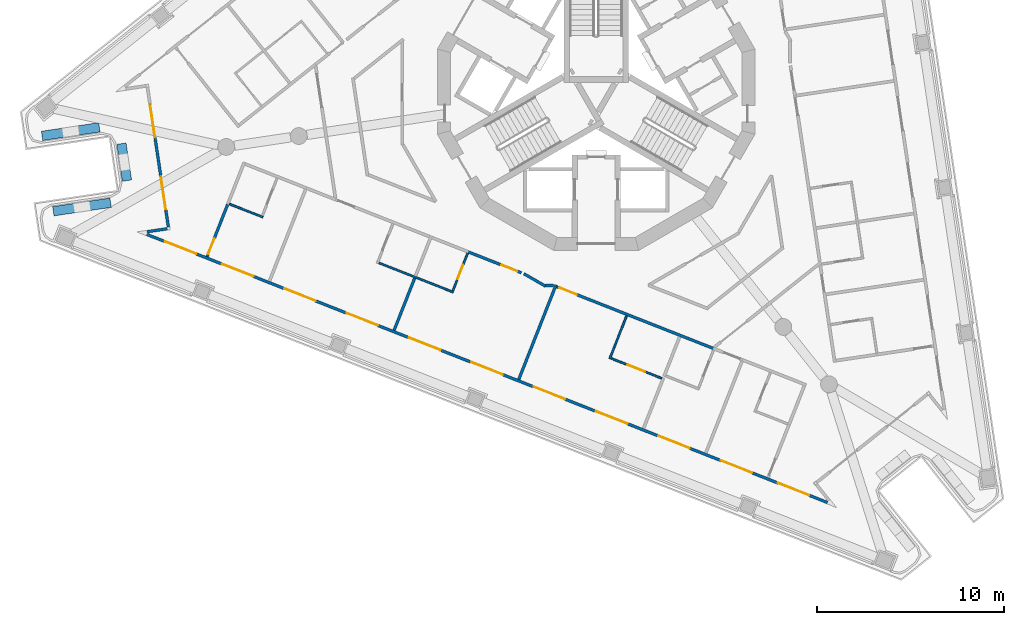
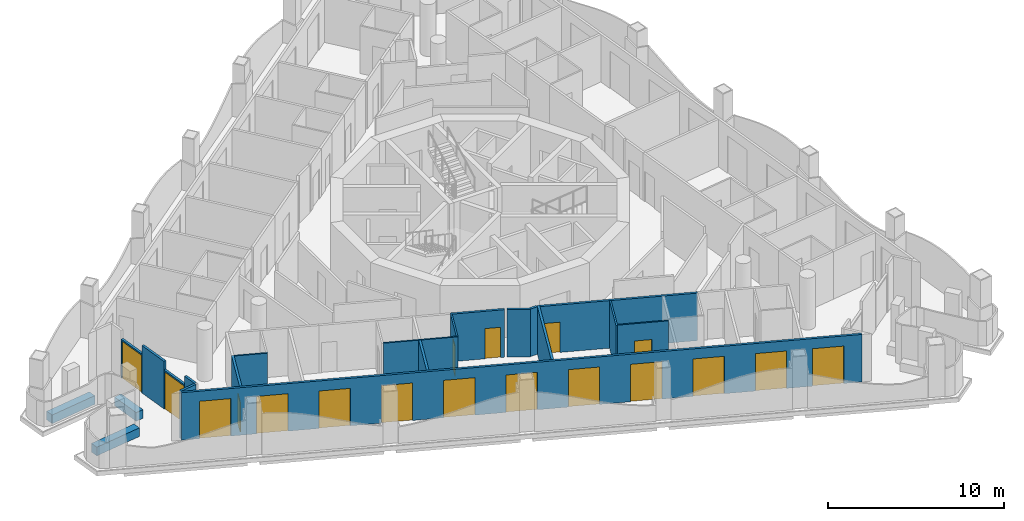
# One storey, part 2 of 16: 21 walls, 18 doors, 18 openings.
"""IFC4 building model written with IfcOpenShell, lengths in metres."""

from ifc_helpers import new_model, si_unit, direction, frame, frame_2d, origin, place, context, subcontext, project, spatial, polyline, rectangle, outline, extrude, material, layer, layer_set, type_object, element, fill, save


model = new_model("IFC4")

# Units and contexts
model_context = context("Model", 3, precision=1e-05, world=origin(), true_north=direction((0.0, 1.0)))
body_context = subcontext(model_context, "Body", "Model", "MODEL_VIEW")
ifc_project = project(units=[si_unit("LENGTHUNIT", "METRE"), si_unit("AREAUNIT", "SQUARE_METRE"), si_unit("VOLUMEUNIT", "CUBIC_METRE"), si_unit("PLANEANGLEUNIT", "RADIAN"), si_unit("MASSUNIT", "GRAM", prefix="KILO")], contexts=[model_context])

# Site, building, storey
site_placement = place(None, origin())
site = spatial("IfcSite", under=ifc_project, at=site_placement, CompositionType="ELEMENT")
building_placement = place(site_placement, origin())
building = spatial("IfcBuilding", under=site, at=building_placement, Name="Trine Commons Tower", CompositionType="ELEMENT")
storey_placement = place(building_placement, frame((0.0, 0.0, 205.199951171875)))
storey = spatial("IfcBuildingStorey", under=building, at=storey_placement, Name="L53", CompositionType="ELEMENT", Elevation=205.199951171875)

# Wall, openings, doors
ifc_material_1 = material(Name="Aluminium-framed insulated wall panel", Category="aluminium")
ifc_layer_1 = layer(ifc_material_1, 0.14990234375)
ifc_layer_set_1 = layer_set([ifc_layer_1], Name="Aluminium-framed insulated wall panel")
wall_type_1 = type_object("IfcWallType", Name="Glazed frame wall 150, EI 60", PredefinedType="SOLIDWALL", material=ifc_layer_set_1)
wall_1_placement = place(storey_placement, frame((92.513916015625, 40.4541015625, 0.0), z_axis=(0.0, 0.0, 1.0), x_axis=(-0.930417922313, 0.3665003272, 0.0)))
wall_1 = element("IfcWall", 1, at=wall_1_placement, inside=storey, type_object=wall_type_1, Name="Glazed frame wall F3", PredefinedType="SOLIDWALL", context=body_context, shape_type="SweptSolid", body=[
    extrude(outline(polyline([(0.1494140625, 0.074951171875), (0.1494140625, -0.074951171875), (39.296875, -0.074951171875), (39.296875, 0.074951171875), (0.1494140625, 0.074951171875)])), origin(), (0.0, 0.0, 1.0), 3.300048828125),
])
opening_1_placement = place(wall_1_placement, frame((1.193115234375, 0.0, 0.0)))
opening_1 = element("IfcOpeningElement", 2, at=opening_1_placement, cuts=wall_1, Name="Opening BD-6F3-01", PredefinedType="OPENING", context=body_context, shape_type="SweptSolid", body=[
    extrude(rectangle(XDim=1.800048828125, YDim=2.60009765625, at=frame_2d((0.89990234375, 1.300048828125))), frame((0.0, 0.0849609375, 0.0), z_axis=(0.0, -1.0, 0.0), x_axis=(1.0, 0.0, 0.0)), (0.0, 0.0, 1.0), 0.169921875),
])
opening_2_placement = place(wall_1_placement, frame((4.47900390625, 0.0, 0.0)))
opening_2 = element("IfcOpeningElement", 3, at=opening_2_placement, cuts=wall_1, Name="Opening BD-6F3-02", PredefinedType="OPENING", context=body_context, shape_type="SweptSolid", body=[
    extrude(rectangle(XDim=1.800048828125, YDim=2.60009765625, at=frame_2d((0.89990234375, 1.300048828125))), frame((0.0, 0.0849609375, 0.0), z_axis=(0.0, -1.0, 0.0), x_axis=(1.0, 0.0, 0.0)), (0.0, 0.0, 1.0), 0.169921875),
])
opening_3_placement = place(wall_1_placement, frame((8.06494140625, 0.0, 0.0)))
opening_3 = element("IfcOpeningElement", 4, at=opening_3_placement, cuts=wall_1, Name="Opening BD-6F3-03", PredefinedType="OPENING", context=body_context, shape_type="SweptSolid", body=[
    extrude(rectangle(XDim=1.800048828125, YDim=2.60009765625, at=frame_2d((0.89990234375, 1.300048828125))), frame((0.0, 0.0849609375, 0.0), z_axis=(0.0, -1.0, 0.0), x_axis=(1.0, 0.0, 0.0)), (0.0, 0.0, 1.0), 0.169921875),
])
opening_4_placement = place(wall_1_placement, frame((11.65087890625, 0.0, 0.0)))
opening_4 = element("IfcOpeningElement", 5, at=opening_4_placement, cuts=wall_1, Name="Opening BD-6F3-04", PredefinedType="OPENING", context=body_context, shape_type="SweptSolid", body=[
    extrude(rectangle(XDim=1.800048828125, YDim=2.60009765625, at=frame_2d((0.89990234375, 1.300048828125))), frame((0.0, 0.0849609375, 0.0), z_axis=(0.0, -1.0, 0.0), x_axis=(1.0, 0.0, 0.0)), (0.0, 0.0, 1.0), 0.169921875),
])
opening_5_placement = place(wall_1_placement, frame((15.237060546875, 0.0, 0.0)))
opening_5 = element("IfcOpeningElement", 6, at=opening_5_placement, cuts=wall_1, Name="Opening BD-6F3-05", PredefinedType="OPENING", context=body_context, shape_type="SweptSolid", body=[
    extrude(rectangle(XDim=1.800048828125, YDim=2.60009765625, at=frame_2d((0.89990234375, 1.300048828125))), frame((0.0, 0.0849609375, 0.0), z_axis=(0.0, -1.0, 0.0), x_axis=(1.0, 0.0, 0.0)), (0.0, 0.0, 1.0), 0.169921875),
])
opening_6_placement = place(wall_1_placement, frame((18.822998046875, 0.0, 0.0)))
opening_6 = element("IfcOpeningElement", 7, at=opening_6_placement, cuts=wall_1, Name="Opening BD-6F3-06", PredefinedType="OPENING", context=body_context, shape_type="SweptSolid", body=[
    extrude(rectangle(XDim=1.800048828125, YDim=2.60009765625, at=frame_2d((0.89990234375, 1.300048828125))), frame((0.0, 0.0849609375, 0.0), z_axis=(0.0, -1.0, 0.0), x_axis=(1.0, 0.0, 0.0)), (0.0, 0.0, 1.0), 0.169921875),
])
opening_7_placement = place(wall_1_placement, frame((22.408935546875, 0.0, 0.0)))
opening_7 = element("IfcOpeningElement", 8, at=opening_7_placement, cuts=wall_1, Name="Opening BD-6F3-07", PredefinedType="OPENING", context=body_context, shape_type="SweptSolid", body=[
    extrude(rectangle(XDim=1.800048828125, YDim=2.60009765625, at=frame_2d((0.89990234375, 1.300048828125))), frame((0.0, 0.0849609375, 0.0), z_axis=(0.0, -1.0, 0.0), x_axis=(1.0, 0.0, 0.0)), (0.0, 0.0, 1.0), 0.169921875),
])
opening_8_placement = place(wall_1_placement, frame((25.9951171875, 0.0, 0.0)))
opening_8 = element("IfcOpeningElement", 9, at=opening_8_placement, cuts=wall_1, Name="Opening BD-6F3-08", PredefinedType="OPENING", context=body_context, shape_type="SweptSolid", body=[
    extrude(rectangle(XDim=1.800048828125, YDim=2.60009765625, at=frame_2d((0.89990234375, 1.300048828125))), frame((0.0, 0.0849609375, 0.0), z_axis=(0.0, -1.0, 0.0), x_axis=(1.0, 0.0, 0.0)), (0.0, 0.0, 1.0), 0.169921875),
])
opening_9_placement = place(wall_1_placement, frame((29.5810546875, 0.0, 0.0)))
opening_9 = element("IfcOpeningElement", 10, at=opening_9_placement, cuts=wall_1, Name="Opening BD-6F3-09", PredefinedType="OPENING", context=body_context, shape_type="SweptSolid", body=[
    extrude(rectangle(XDim=1.800048828125, YDim=2.60009765625, at=frame_2d((0.89990234375, 1.300048828125))), frame((0.0, 0.0849609375, 0.0), z_axis=(0.0, -1.0, 0.0), x_axis=(1.0, 0.0, 0.0)), (0.0, 0.0, 1.0), 0.169921875),
])
opening_10_placement = place(wall_1_placement, frame((33.1669921875, 0.0, 0.0)))
opening_10 = element("IfcOpeningElement", 11, at=opening_10_placement, cuts=wall_1, Name="Opening BD-6F3-10", PredefinedType="OPENING", context=body_context, shape_type="SweptSolid", body=[
    extrude(rectangle(XDim=1.800048828125, YDim=2.60009765625, at=frame_2d((0.89990234375, 1.300048828125))), frame((0.0, 0.0849609375, 0.0), z_axis=(0.0, -1.0, 0.0), x_axis=(1.0, 0.0, 0.0)), (0.0, 0.0, 1.0), 0.169921875),
])
opening_11_placement = place(wall_1_placement, frame((36.452880859375, 0.0, 0.0)))
opening_11 = element("IfcOpeningElement", 12, at=opening_11_placement, cuts=wall_1, Name="Opening BD-6F3-11", PredefinedType="OPENING", context=body_context, shape_type="SweptSolid", body=[
    extrude(rectangle(XDim=1.800048828125, YDim=2.60009765625, at=frame_2d((0.89990234375, 1.300048828125))), frame((0.0, 0.0849609375, 0.0), z_axis=(0.0, -1.0, 0.0), x_axis=(1.0, 0.0, 0.0)), (0.0, 0.0, 1.0), 0.169921875),
])
ifc_material_2 = material(Name="Anodised aluminium frame with double glazing", Category="aluminium")
door_type_1 = type_object("IfcDoorType", Name="Sliding loggia door 1800x2600", OperationType="SLIDING_TO_LEFT", PredefinedType="DOOR", material=ifc_material_2)
door_1_placement = place(opening_1_placement, origin())
door_1 = element("IfcDoor", 13, at=door_1_placement, inside=storey, type_object=door_type_1, Name="Loggia door F3 1", OperationType="SLIDING_TO_LEFT", OverallHeight=2.60009765625, OverallWidth=1.800048828125, PredefinedType="DOOR", context=body_context, shape_type="SweptSolid", body=[
    extrude(rectangle(XDim=1.800048828125, YDim=2.60009765625, at=frame_2d((0.89990234375, 1.300048828125))), frame((0.0, 0.02490234375, 0.0), z_axis=(0.0, -1.0, 0.0), x_axis=(1.0, 0.0, 0.0)), (0.0, 0.0, 1.0), 0.050048828125),
])
fill(opening_1, door_1)
door_2_placement = place(opening_2_placement, origin())
door_2 = element("IfcDoor", 14, at=door_2_placement, inside=storey, type_object=door_type_1, Name="Loggia door F3 2", OperationType="SLIDING_TO_LEFT", OverallHeight=2.60009765625, OverallWidth=1.800048828125, PredefinedType="DOOR", context=body_context, shape_type="SweptSolid", body=[
    extrude(rectangle(XDim=1.800048828125, YDim=2.60009765625, at=frame_2d((0.89990234375, 1.300048828125))), frame((0.0, 0.02490234375, 0.0), z_axis=(0.0, -1.0, 0.0), x_axis=(1.0, 0.0, 0.0)), (0.0, 0.0, 1.0), 0.050048828125),
])
fill(opening_2, door_2)
door_3_placement = place(opening_3_placement, origin())
door_3 = element("IfcDoor", 15, at=door_3_placement, inside=storey, type_object=door_type_1, Name="Loggia door F3 3", OperationType="SLIDING_TO_LEFT", OverallHeight=2.60009765625, OverallWidth=1.800048828125, PredefinedType="DOOR", context=body_context, shape_type="SweptSolid", body=[
    extrude(rectangle(XDim=1.800048828125, YDim=2.60009765625, at=frame_2d((0.89990234375, 1.300048828125))), frame((0.0, 0.02490234375, 0.0), z_axis=(0.0, -1.0, 0.0), x_axis=(1.0, 0.0, 0.0)), (0.0, 0.0, 1.0), 0.050048828125),
])
fill(opening_3, door_3)
door_4_placement = place(opening_4_placement, origin())
door_4 = element("IfcDoor", 16, at=door_4_placement, inside=storey, type_object=door_type_1, Name="Loggia door F3 4", OperationType="SLIDING_TO_LEFT", OverallHeight=2.60009765625, OverallWidth=1.800048828125, PredefinedType="DOOR", context=body_context, shape_type="SweptSolid", body=[
    extrude(rectangle(XDim=1.800048828125, YDim=2.60009765625, at=frame_2d((0.89990234375, 1.300048828125))), frame((0.0, 0.02490234375, 0.0), z_axis=(0.0, -1.0, 0.0), x_axis=(1.0, 0.0, 0.0)), (0.0, 0.0, 1.0), 0.050048828125),
])
fill(opening_4, door_4)
door_5_placement = place(opening_5_placement, origin())
door_5 = element("IfcDoor", 17, at=door_5_placement, inside=storey, type_object=door_type_1, Name="Loggia door F3 5", OperationType="SLIDING_TO_LEFT", OverallHeight=2.60009765625, OverallWidth=1.800048828125, PredefinedType="DOOR", context=body_context, shape_type="SweptSolid", body=[
    extrude(rectangle(XDim=1.800048828125, YDim=2.60009765625, at=frame_2d((0.89990234375, 1.300048828125))), frame((0.0, 0.02490234375, 0.0), z_axis=(0.0, -1.0, 0.0), x_axis=(1.0, 0.0, 0.0)), (0.0, 0.0, 1.0), 0.050048828125),
])
fill(opening_5, door_5)
door_6_placement = place(opening_6_placement, origin())
door_6 = element("IfcDoor", 18, at=door_6_placement, inside=storey, type_object=door_type_1, Name="Loggia door F3 6", OperationType="SLIDING_TO_LEFT", OverallHeight=2.60009765625, OverallWidth=1.800048828125, PredefinedType="DOOR", context=body_context, shape_type="SweptSolid", body=[
    extrude(rectangle(XDim=1.800048828125, YDim=2.60009765625, at=frame_2d((0.89990234375, 1.300048828125))), frame((0.0, 0.02490234375, 0.0), z_axis=(0.0, -1.0, 0.0), x_axis=(1.0, 0.0, 0.0)), (0.0, 0.0, 1.0), 0.050048828125),
])
fill(opening_6, door_6)
door_7_placement = place(opening_7_placement, origin())
door_7 = element("IfcDoor", 19, at=door_7_placement, inside=storey, type_object=door_type_1, Name="Loggia door F3 7", OperationType="SLIDING_TO_LEFT", OverallHeight=2.60009765625, OverallWidth=1.800048828125, PredefinedType="DOOR", context=body_context, shape_type="SweptSolid", body=[
    extrude(rectangle(XDim=1.800048828125, YDim=2.60009765625, at=frame_2d((0.89990234375, 1.300048828125))), frame((0.0, 0.02490234375, 0.0), z_axis=(0.0, -1.0, 0.0), x_axis=(1.0, 0.0, 0.0)), (0.0, 0.0, 1.0), 0.050048828125),
])
fill(opening_7, door_7)
door_8_placement = place(opening_8_placement, origin())
door_8 = element("IfcDoor", 20, at=door_8_placement, inside=storey, type_object=door_type_1, Name="Loggia door F3 8", OperationType="SLIDING_TO_LEFT", OverallHeight=2.60009765625, OverallWidth=1.800048828125, PredefinedType="DOOR", context=body_context, shape_type="SweptSolid", body=[
    extrude(rectangle(XDim=1.800048828125, YDim=2.60009765625, at=frame_2d((0.89990234375, 1.300048828125))), frame((0.0, 0.02490234375, 0.0), z_axis=(0.0, -1.0, 0.0), x_axis=(1.0, 0.0, 0.0)), (0.0, 0.0, 1.0), 0.050048828125),
])
fill(opening_8, door_8)
door_9_placement = place(opening_9_placement, origin())
door_9 = element("IfcDoor", 21, at=door_9_placement, inside=storey, type_object=door_type_1, Name="Loggia door F3 9", OperationType="SLIDING_TO_LEFT", OverallHeight=2.60009765625, OverallWidth=1.800048828125, PredefinedType="DOOR", context=body_context, shape_type="SweptSolid", body=[
    extrude(rectangle(XDim=1.800048828125, YDim=2.60009765625, at=frame_2d((0.89990234375, 1.300048828125))), frame((0.0, 0.02490234375, 0.0), z_axis=(0.0, -1.0, 0.0), x_axis=(1.0, 0.0, 0.0)), (0.0, 0.0, 1.0), 0.050048828125),
])
fill(opening_9, door_9)
door_10_placement = place(opening_10_placement, origin())
door_10 = element("IfcDoor", 22, at=door_10_placement, inside=storey, type_object=door_type_1, Name="Loggia door F3 10", OperationType="SLIDING_TO_LEFT", OverallHeight=2.60009765625, OverallWidth=1.800048828125, PredefinedType="DOOR", context=body_context, shape_type="SweptSolid", body=[
    extrude(rectangle(XDim=1.800048828125, YDim=2.60009765625, at=frame_2d((0.89990234375, 1.300048828125))), frame((0.0, 0.02490234375, 0.0), z_axis=(0.0, -1.0, 0.0), x_axis=(1.0, 0.0, 0.0)), (0.0, 0.0, 1.0), 0.050048828125),
])
fill(opening_10, door_10)
door_11_placement = place(opening_11_placement, origin())
door_11 = element("IfcDoor", 23, at=door_11_placement, inside=storey, type_object=door_type_1, Name="Loggia door F3 11", OperationType="SLIDING_TO_LEFT", OverallHeight=2.60009765625, OverallWidth=1.800048828125, PredefinedType="DOOR", context=body_context, shape_type="SweptSolid", body=[
    extrude(rectangle(XDim=1.800048828125, YDim=2.60009765625, at=frame_2d((0.89990234375, 1.300048828125))), frame((0.0, 0.02490234375, 0.0), z_axis=(0.0, -1.0, 0.0), x_axis=(1.0, 0.0, 0.0)), (0.0, 0.0, 1.0), 0.050048828125),
])
fill(opening_11, door_11)

# Walls
wall_2_placement = place(storey_placement, frame((55.8203125, 54.978515625, 0.0), z_axis=(0.0, 0.0, 1.0), x_axis=(0.98902141065, 0.147772288596, 0.0)))
element("IfcWall", 24, at=wall_2_placement, inside=storey, type_object=wall_type_1, Name="Glazed frame wall R10", PredefinedType="SOLIDWALL", context=body_context, shape_type="SweptSolid", body=[
    extrude(outline(polyline([(0.1494140625, 0.074951171875), (0.1494140625, -0.074951171875), (1.235107421875, -0.074951171875), (1.235107421875, 0.074951171875), (0.1494140625, 0.074951171875)])), origin(), (0.0, 0.0, 1.0), 3.300048828125),
])
wall_3_placement = place(storey_placement, frame((57.12109375, 55.137451171875, 0.0), z_axis=(0.0, 0.0, 1.0), x_axis=(-0.147946480694, 0.988995368468, 0.0)))
element("IfcWall", 25, at=wall_3_placement, inside=storey, type_object=wall_type_1, Name="Glazed frame wall P3.1", PredefinedType="SOLIDWALL", context=body_context, shape_type="SweptSolid", body=[
    extrude(outline(polyline([(0.110107421875, -0.074951171875), (1.0, -0.074951171875), (1.0, 0.074951171875), (0.110107421875, 0.074951171875), (0.110107421875, -0.074951171875)])), origin(), (0.0, 0.0, 1.0), 3.300048828125),
])

# Wall, opening, door
wall_4_placement = place(storey_placement, frame((56.97314453125, 56.12646484375, 0.0), z_axis=(0.0, 0.0, 1.0), x_axis=(-0.147768643441, 0.989021955275, 0.0)))
wall_4 = element("IfcWall", 26, at=wall_4_placement, inside=storey, type_object=wall_type_1, Name="Glazed frame wall P3.2", PredefinedType="SOLIDWALL", context=body_context, shape_type="SweptSolid", body=[
    extrude(outline(polyline([(0.0, -0.074951171875), (1.89990234375, -0.074951171875), (1.89990234375, 0.074951171875), (0.0, 0.074951171875), (0.0, -0.074951171875)])), origin(), (0.0, 0.0, 1.0), 2.699951171875),
])
opening_12_placement = place(wall_4_placement, frame((0.050048828125, 0.0, 0.0)))
opening_12 = element("IfcOpeningElement", 27, at=opening_12_placement, cuts=wall_4, Name="Opening BD-6P3-01", PredefinedType="OPENING", context=body_context, shape_type="SweptSolid", body=[
    extrude(rectangle(XDim=1.800048828125, YDim=2.60009765625, at=frame_2d((0.89990234375, 1.300048828125))), frame((0.0, 0.0849609375, 0.0), z_axis=(0.0, -1.0, 0.0), x_axis=(1.0, 0.0, 0.0)), (0.0, 0.0, 1.0), 0.169921875),
])
door_12_placement = place(opening_12_placement, origin())
door_12 = element("IfcDoor", 28, at=door_12_placement, inside=storey, type_object=door_type_1, Name="Loggia door P3 1", OperationType="SLIDING_TO_LEFT", OverallHeight=2.60009765625, OverallWidth=1.800048828125, PredefinedType="DOOR", context=body_context, shape_type="SweptSolid", body=[
    extrude(rectangle(XDim=1.800048828125, YDim=2.60009765625, at=frame_2d((0.89990234375, 1.300048828125))), frame((0.0, 0.02490234375, 0.0), z_axis=(0.0, -1.0, 0.0), x_axis=(1.0, 0.0, 0.0)), (0.0, 0.0, 1.0), 0.050048828125),
])
fill(opening_12, door_12)

# Wall
wall_5_placement = place(storey_placement, frame((56.6923828125, 58.005615234375, 0.0), z_axis=(0.0, 0.0, 1.0), x_axis=(-0.147827081252, 0.989013222383, 0.0)))
element("IfcWall", 29, at=wall_5_placement, inside=storey, type_object=wall_type_1, Name="Glazed frame wall P3.3", PredefinedType="SOLIDWALL", context=body_context, shape_type="SweptSolid", body=[
    extrude(outline(polyline([(0.0, -0.074951171875), (2.0, -0.074951171875), (2.0, 0.074951171875), (0.0, 0.074951171875), (0.0, -0.074951171875)])), origin(), (0.0, 0.0, 1.0), 3.300048828125),
])

# Wall, opening, door
wall_6_placement = place(storey_placement, frame((56.396728515625, 59.983642578125, 0.0), z_axis=(0.0, 0.0, 1.0), x_axis=(-0.147768643441, 0.989021955275, 0.0)))
wall_6 = element("IfcWall", 30, at=wall_6_placement, inside=storey, type_object=wall_type_1, Name="Glazed frame wall P3.4", PredefinedType="SOLIDWALL", context=body_context, shape_type="SweptSolid", body=[
    extrude(outline(polyline([(0.0, -0.074951171875), (1.89990234375, -0.074951171875), (1.89990234375, 0.074951171875), (0.0, 0.074951171875), (0.0, -0.074951171875)])), origin(), (0.0, 0.0, 1.0), 2.699951171875),
])
opening_13_placement = place(wall_6_placement, frame((0.050048828125, 0.0, 0.0)))
opening_13 = element("IfcOpeningElement", 31, at=opening_13_placement, cuts=wall_6, Name="Opening BD-6P3-02", PredefinedType="OPENING", context=body_context, shape_type="SweptSolid", body=[
    extrude(rectangle(XDim=1.800048828125, YDim=2.60009765625, at=frame_2d((0.89990234375, 1.300048828125))), frame((0.0, 0.0849609375, 0.0), z_axis=(0.0, -1.0, 0.0), x_axis=(1.0, 0.0, 0.0)), (0.0, 0.0, 1.0), 0.169921875),
])
door_13_placement = place(opening_13_placement, origin())
door_13 = element("IfcDoor", 32, at=door_13_placement, inside=storey, type_object=door_type_1, Name="Loggia door P3 2", OperationType="SLIDING_TO_LEFT", OverallHeight=2.60009765625, OverallWidth=1.800048828125, PredefinedType="DOOR", context=body_context, shape_type="SweptSolid", body=[
    extrude(rectangle(XDim=1.800048828125, YDim=2.60009765625, at=frame_2d((0.89990234375, 1.300048828125))), frame((0.0, 0.02490234375, 0.0), z_axis=(0.0, -1.0, 0.0), x_axis=(1.0, 0.0, 0.0)), (0.0, 0.0, 1.0), 0.050048828125),
])
fill(opening_13, door_13)

# Walls
ifc_material_3 = material(Name="Planter trough, precast concrete C40/50", Category="concrete")
ifc_layer_2 = layer(ifc_material_3, 0.5)
ifc_layer_set_2 = layer_set([ifc_layer_2], Name="Planter trough, precast concrete C40/50")
wall_type_2 = type_object("IfcWallType", Name="Planter trough 500x600", PredefinedType="PARAPET", material=ifc_layer_set_2)
wall_7_placement = place(storey_placement, frame((50.94677734375, 56.09521484375, 0.0), z_axis=(0.0, 0.0, 1.0), x_axis=(0.989011904818, 0.147835895942, 0.0)))
element("IfcWall", 33, at=wall_7_placement, inside=storey, type_object=wall_type_2, Name="Planter 1", PredefinedType="PARAPET", context=body_context, shape_type="SweptSolid", body=[
    extrude(rectangle(XDim=3.099853515625, YDim=0.5, at=frame_2d((1.5498046875, 0.0))), origin(), (0.0, 0.0, 1.0), 0.60009765625),
])
wall_8_placement = place(storey_placement, frame((54.887451171875, 57.73583984375, 0.0), z_axis=(0.0, 0.0, 1.0), x_axis=(-0.147827081252, 0.989013222383, 0.0)))
element("IfcWall", 34, at=wall_8_placement, inside=storey, type_object=wall_type_2, Name="Planter 2", PredefinedType="PARAPET", context=body_context, shape_type="SweptSolid", body=[
    extrude(rectangle(XDim=2.0, YDim=0.5, at=frame_2d((1.0, 0.0))), origin(), (0.0, 0.0, 1.0), 0.60009765625),
])
wall_9_placement = place(storey_placement, frame((53.409423828125, 60.588623046875, 0.0), z_axis=(0.0, 0.0, 1.0), x_axis=(-0.989013625991, -0.147824380951, 0.0)))
element("IfcWall", 35, at=wall_9_placement, inside=storey, type_object=wall_type_2, Name="Planter 3", PredefinedType="PARAPET", context=body_context, shape_type="SweptSolid", body=[
    extrude(rectangle(XDim=3.099853515625, YDim=0.5, at=frame_2d((1.5498046875, 0.0))), origin(), (0.0, 0.0, 1.0), 0.60009765625),
])

# Wall, opening, door
ifc_material_4 = material(Name="Gypsum plasterboard on steel stud", Category="steel")
ifc_layer_3 = layer(ifc_material_4, 0.14990234375)
ifc_layer_set_3 = layer_set([ifc_layer_3], Name="Gypsum plasterboard on steel stud")
wall_type_3 = type_object("IfcWallType", Name="Unit and corridor wall 150 mm, EI 60", PredefinedType="PARTITIONING", material=ifc_layer_set_3)
wall_10_placement = place(storey_placement, frame((59.1767578125, 53.666259765625, 0.0), z_axis=(0.0, 0.0, 1.0), x_axis=(0.366482728763, 0.93042485431, 0.0)))
wall_10 = element("IfcWall", 36, at=wall_10_placement, inside=storey, type_object=wall_type_3, Name="Partition 002", PredefinedType="PARTITIONING", context=body_context, shape_type="SweptSolid", body=[
    extrude(rectangle(XDim=3.06494140625, YDim=0.14990234375, at=frame_2d((1.532470703125, 0.0))), origin(), (0.0, 0.0, 1.0), 3.300048828125),
])
opening_14_placement = place(wall_10_placement, frame((0.14990234375, 0.0, 0.0)))
opening_14 = element("IfcOpeningElement", 37, at=opening_14_placement, cuts=wall_10, Name="Opening D-6A25", PredefinedType="OPENING", context=body_context, shape_type="SweptSolid", body=[
    extrude(rectangle(XDim=0.89990234375, YDim=2.10009765625, at=frame_2d((0.449951171875, 1.050048828125))), frame((0.0, 0.0849609375, 0.0), z_axis=(0.0, -1.0, 0.0), x_axis=(1.0, 0.0, 0.0)), (0.0, 0.0, 1.0), 0.169921875),
])
ifc_material_5 = material(Name="Timber fire door set", Category="wood")
door_type_2 = type_object("IfcDoorType", Name="Bedroom door 900 x 2100, FD30S", OperationType="NOTDEFINED", PredefinedType="DOOR", material=ifc_material_5)
door_14_placement = place(opening_14_placement, frame((0.89990234375, 0.0, 0.0), z_axis=(0.0, 0.0, 1.0), x_axis=(-1.0, 0.0, 0.0)))
door_14 = element("IfcDoor", 38, at=door_14_placement, inside=storey, type_object=door_type_2, Name="Door D-6A25", OperationType="SINGLE_SWING_RIGHT", OverallHeight=2.10009765625, OverallWidth=0.89990234375, PredefinedType="DOOR", context=body_context, shape_type="SweptSolid", body=[
    extrude(rectangle(XDim=0.89990234375, YDim=2.10009765625, at=frame_2d((0.449951171875, 1.050048828125))), frame((0.0, 0.02490234375, 0.0), z_axis=(0.0, -1.0, 0.0), x_axis=(1.0, 0.0, 0.0)), (0.0, 0.0, 1.0), 0.050048828125),
])
fill(opening_14, door_14)

# Wall
wall_11_placement = place(storey_placement, frame((69.185791015625, 49.72412109375, 0.0), z_axis=(0.0, 0.0, 1.0), x_axis=(0.3667713117, 0.930311133392, 0.0)))
element("IfcWall", 39, at=wall_11_placement, inside=storey, type_object=wall_type_3, Name="Partition 030", PredefinedType="PARTITIONING", context=body_context, shape_type="SweptSolid", body=[
    extrude(rectangle(XDim=3.010009765625, YDim=0.14990234375, at=frame_2d((1.5048828125, 0.0))), origin(), (0.0, 0.0, 1.0), 3.300048828125),
])

# Wall, opening, door
wall_12_placement = place(storey_placement, frame((73.1005859375, 53.9423828125, 0.0), z_axis=(0.0, 0.0, 1.0), x_axis=(0.930438385979, -0.366448372758, 0.0)))
wall_12 = element("IfcWall", 40, at=wall_12_placement, inside=storey, type_object=wall_type_3, Name="Partition 040", PredefinedType="PARTITIONING", context=body_context, shape_type="SweptSolid", body=[
    extrude(rectangle(XDim=3.112060546875, YDim=0.14990234375, at=frame_2d((1.55615234375, 0.0))), origin(), (0.0, 0.0, 1.0), 3.300048828125),
])
opening_15_placement = place(wall_12_placement, frame((1.974853515625, 0.0, 0.0)))
opening_15 = element("IfcOpeningElement", 41, at=opening_15_placement, cuts=wall_12, Name="Opening D-6A23", PredefinedType="OPENING", context=body_context, shape_type="SweptSolid", body=[
    extrude(rectangle(XDim=0.89990234375, YDim=2.10009765625, at=frame_2d((0.449951171875, 1.050048828125))), frame((0.0, 0.0849609375, 0.0), z_axis=(0.0, -1.0, 0.0), x_axis=(1.0, 0.0, 0.0)), (0.0, 0.0, 1.0), 0.169921875),
])
door_15_placement = place(opening_15_placement, frame((0.89990234375, 0.0, 0.0), z_axis=(0.0, 0.0, 1.0), x_axis=(-1.0, 0.0, 0.0)))
door_15 = element("IfcDoor", 42, at=door_15_placement, inside=storey, type_object=door_type_2, Name="Door D-6A23", OperationType="SINGLE_SWING_LEFT", OverallHeight=2.10009765625, OverallWidth=0.89990234375, PredefinedType="DOOR", context=body_context, shape_type="SweptSolid", body=[
    extrude(rectangle(XDim=0.89990234375, YDim=2.10009765625, at=frame_2d((0.449951171875, 1.050048828125))), frame((0.0, 0.02490234375, 0.0), z_axis=(0.0, -1.0, 0.0), x_axis=(1.0, 0.0, 0.0)), (0.0, 0.0, 1.0), 0.050048828125),
])
fill(opening_15, door_15)

# Walls
wall_13_placement = place(storey_placement, frame((75.858642578125, 47.09521484375, 0.0), z_axis=(0.0, 0.0, 1.0), x_axis=(0.366669445619, 0.93035128723, 0.0)))
element("IfcWall", 43, at=wall_13_placement, inside=storey, type_object=wall_type_3, Name="Partition 046", PredefinedType="PARTITIONING", context=body_context, shape_type="SweptSolid", body=[
    extrude(rectangle(XDim=5.435302734375, YDim=0.14990234375, at=frame_2d((2.7177734375, 0.0))), origin(), (0.0, 0.0, 1.0), 3.300048828125),
])
wall_14_placement = place(storey_placement, frame((76.131103515625, 52.75390625, 0.0), z_axis=(0.0, 0.0, 1.0), x_axis=(0.865910926182, -0.500198228624, 0.0)))
element("IfcWall", 44, at=wall_14_placement, inside=storey, type_object=wall_type_3, Name="Partition 047", PredefinedType="PARTITIONING", context=body_context, shape_type="SweptSolid", body=[
    extrude(rectangle(XDim=1.33251953125, YDim=0.14990234375, at=frame_2d((0.666259765625, 0.0))), origin(), (0.0, 0.0, 1.0), 3.300048828125),
])
wall_15_placement = place(storey_placement, frame((77.294921875, 52.125, 0.0), z_axis=(0.0, 0.0, 1.0), x_axis=(1.0, 0.0, 0.0)))
element("IfcWall", 45, at=wall_15_placement, inside=storey, type_object=wall_type_3, Name="Partition 050", PredefinedType="PARTITIONING", context=body_context, shape_type="SweptSolid", body=[
    extrude(rectangle(XDim=0.43212890625, YDim=0.14990234375, at=frame_2d((0.216064453125, 0.0))), origin(), (0.0, 0.0, 1.0), 3.300048828125),
])

# Wall, opening, door
wall_16_placement = place(storey_placement, frame((77.890869140625, 52.056396484375, 0.0), z_axis=(0.0, 0.0, 1.0), x_axis=(0.930403660154, -0.366536531837, 0.0)))
wall_16 = element("IfcWall", 46, at=wall_16_placement, inside=storey, type_object=wall_type_3, Name="Partition 054", PredefinedType="PARTITIONING", context=body_context, shape_type="SweptSolid", body=[
    extrude(rectangle(XDim=9.0625, YDim=0.14990234375, at=frame_2d((4.53125, 0.0))), origin(), (0.0, 0.0, 1.0), 3.300048828125),
])
opening_16_placement = place(wall_16_placement, frame((0.14990234375, 0.0, 0.0)))
opening_16 = element("IfcOpeningElement", 47, at=opening_16_placement, cuts=wall_16, Name="Opening D-6A22", PredefinedType="OPENING", context=body_context, shape_type="SweptSolid", body=[
    extrude(rectangle(XDim=1.0, YDim=2.10009765625, at=frame_2d((0.5, 1.050048828125))), frame((0.0, 0.0849609375, 0.0), z_axis=(0.0, -1.0, 0.0), x_axis=(1.0, 0.0, 0.0)), (0.0, 0.0, 1.0), 0.169921875),
])
door_type_3 = type_object("IfcDoorType", Name="Bedroom door 1000 x 2100, FD30S", OperationType="NOTDEFINED", PredefinedType="DOOR", material=ifc_material_5)
door_16_placement = place(opening_16_placement, frame((1.0, 0.0, 0.0), z_axis=(0.0, 0.0, 1.0), x_axis=(-1.0, 0.0, 0.0)))
door_16 = element("IfcDoor", 48, at=door_16_placement, inside=storey, type_object=door_type_3, Name="Door D-6A22", OperationType="SINGLE_SWING_RIGHT", OverallHeight=2.10009765625, OverallWidth=1.0, PredefinedType="DOOR", context=body_context, shape_type="SweptSolid", body=[
    extrude(rectangle(XDim=1.0, YDim=2.10009765625, at=frame_2d((0.5, 1.050048828125))), frame((0.0, 0.02490234375, 0.0), z_axis=(0.0, -1.0, 0.0), x_axis=(1.0, 0.0, 0.0)), (0.0, 0.0, 1.0), 0.050048828125),
])
fill(opening_16, door_16)

# Walls
ifc_layer_4 = layer(ifc_material_4, 0.10009765625)
ifc_layer_set_4 = layer_set([ifc_layer_4], Name="Gypsum plasterboard on steel stud")
wall_type_4 = type_object("IfcWallType", Name="Unit partition 100 mm, no rating", PredefinedType="PARTITIONING", material=ifc_layer_set_4)
wall_17_placement = place(storey_placement, frame((60.367919921875, 56.486572265625, 0.0), z_axis=(0.0, 0.0, 1.0), x_axis=(0.930396600114, -0.366554452294, 0.0)))
element("IfcWall", 49, at=wall_17_placement, inside=storey, type_object=wall_type_4, Name="Partition 005", PredefinedType="PARTITIONING", context=body_context, shape_type="SweptSolid", body=[
    extrude(rectangle(XDim=1.925537109375, YDim=0.10009765625, at=frame_2d((0.962890625, 0.0))), origin(), (0.0, 0.0, 1.0), 3.300048828125),
])
wall_18_placement = place(storey_placement, frame((68.353515625, 53.3408203125, 0.0), z_axis=(0.0, 0.0, 1.0), x_axis=(0.930406046035, -0.366530475543, 0.0)))
element("IfcWall", 50, at=wall_18_placement, inside=storey, type_object=wall_type_4, Name="Partition 028", PredefinedType="PARTITIONING", context=body_context, shape_type="SweptSolid", body=[
    extrude(rectangle(XDim=4.30029296875, YDim=0.10009765625, at=frame_2d((2.150146484375, 0.0))), origin(), (0.0, 0.0, 1.0), 3.300048828125),
])

# Wall, opening, door
wall_19_placement = place(storey_placement, frame((72.326416015625, 51.82958984375, 0.0), z_axis=(0.0, 0.0, 1.0), x_axis=(0.366489184141, 0.930422311592, 0.0)))
wall_19 = element("IfcWall", 51, at=wall_19_placement, inside=storey, type_object=wall_type_4, Name="Partition 038", PredefinedType="PARTITIONING", context=body_context, shape_type="SweptSolid", body=[
    extrude(rectangle(XDim=2.175048828125, YDim=0.10009765625, at=frame_2d((1.08740234375, 0.0))), origin(), (0.0, 0.0, 1.0), 3.300048828125),
])
opening_17_placement = place(wall_19_placement, frame((0.6875, 0.0, 0.0)))
opening_17 = element("IfcOpeningElement", 52, at=opening_17_placement, cuts=wall_19, Name="Opening D-6A43", PredefinedType="OPENING", context=body_context, shape_type="SweptSolid", body=[
    extrude(rectangle(XDim=0.800048828125, YDim=2.10009765625, at=frame_2d((0.39990234375, 1.050048828125))), frame((0.0, 0.06005859375, 0.0), z_axis=(0.0, -1.0, 0.0), x_axis=(1.0, 0.0, 0.0)), (0.0, 0.0, 1.0), 0.1201171875),
])
ifc_material_6 = material(Name="Painted timber", Category="wood")
door_type_4 = type_object("IfcDoorType", Name="Internal door 800 x 2100, NOT RATED", OperationType="NOTDEFINED", PredefinedType="DOOR", material=ifc_material_6)
door_17_placement = place(opening_17_placement, frame((0.800048828125, 0.0, 0.0), z_axis=(0.0, 0.0, 1.0), x_axis=(-1.0, 0.0, 0.0)))
door_17 = element("IfcDoor", 53, at=door_17_placement, inside=storey, type_object=door_type_4, Name="Door D-6A43", OperationType="SINGLE_SWING_LEFT", OverallHeight=2.10009765625, OverallWidth=0.800048828125, PredefinedType="DOOR", context=body_context, shape_type="SweptSolid", body=[
    extrude(rectangle(XDim=0.800048828125, YDim=2.10009765625, at=frame_2d((0.39990234375, 1.050048828125))), frame((0.0, 0.02490234375, 0.0), z_axis=(0.0, -1.0, 0.0), x_axis=(1.0, 0.0, 0.0)), (0.0, 0.0, 1.0), 0.050048828125),
])
fill(opening_17, door_17)

# Wall
wall_20_placement = place(storey_placement, frame((80.7236328125, 48.199462890625, 0.0), z_axis=(0.0, 0.0, 1.0), x_axis=(0.366811693538, 0.930295212007, 0.0)))
element("IfcWall", 54, at=wall_20_placement, inside=storey, type_object=wall_type_4, Name="Partition 059", PredefinedType="PARTITIONING", context=body_context, shape_type="SweptSolid", body=[
    extrude(rectangle(XDim=2.475341796875, YDim=0.10009765625, at=frame_2d((1.23779296875, 0.0))), origin(), (0.0, 0.0, 1.0), 3.300048828125),
])

# Wall, opening, door
wall_21_placement = place(storey_placement, frame((80.78857421875, 48.227783203125, 0.0), z_axis=(0.0, 0.0, 1.0), x_axis=(0.930398043032, -0.366550789827, 0.0)))
wall_21 = element("IfcWall", 55, at=wall_21_placement, inside=storey, type_object=wall_type_4, Name="Partition 060", PredefinedType="PARTITIONING", context=body_context, shape_type="SweptSolid", body=[
    extrude(rectangle(XDim=2.92529296875, YDim=0.10009765625, at=frame_2d((1.462646484375, 0.0))), origin(), (0.0, 0.0, 1.0), 3.300048828125),
])
opening_18_placement = place(wall_21_placement, frame((0.962646484375, 0.0, 0.0)))
opening_18 = element("IfcOpeningElement", 56, at=opening_18_placement, cuts=wall_21, Name="Opening D-6A42", PredefinedType="OPENING", context=body_context, shape_type="SweptSolid", body=[
    extrude(rectangle(XDim=1.0, YDim=2.10009765625, at=frame_2d((0.5, 1.050048828125))), frame((0.0, 0.06005859375, 0.0), z_axis=(0.0, -1.0, 0.0), x_axis=(1.0, 0.0, 0.0)), (0.0, 0.0, 1.0), 0.1201171875),
])
door_type_5 = type_object("IfcDoorType", Name="Internal door 1000 x 2100, NOT RATED", OperationType="NOTDEFINED", PredefinedType="DOOR", material=ifc_material_6)
door_18_placement = place(opening_18_placement, frame((1.0, 0.0, 0.0), z_axis=(0.0, 0.0, 1.0), x_axis=(-1.0, 0.0, 0.0)))
door_18 = element("IfcDoor", 57, at=door_18_placement, inside=storey, type_object=door_type_5, Name="Door D-6A42", OperationType="SINGLE_SWING_LEFT", OverallHeight=2.10009765625, OverallWidth=1.0, PredefinedType="DOOR", context=body_context, shape_type="SweptSolid", body=[
    extrude(rectangle(XDim=1.0, YDim=2.10009765625, at=frame_2d((0.5, 1.050048828125))), frame((0.0, 0.02490234375, 0.0), z_axis=(0.0, -1.0, 0.0), x_axis=(1.0, 0.0, 0.0)), (0.0, 0.0, 1.0), 0.050048828125),
])
fill(opening_18, door_18)

save(model, "model.ifc")
